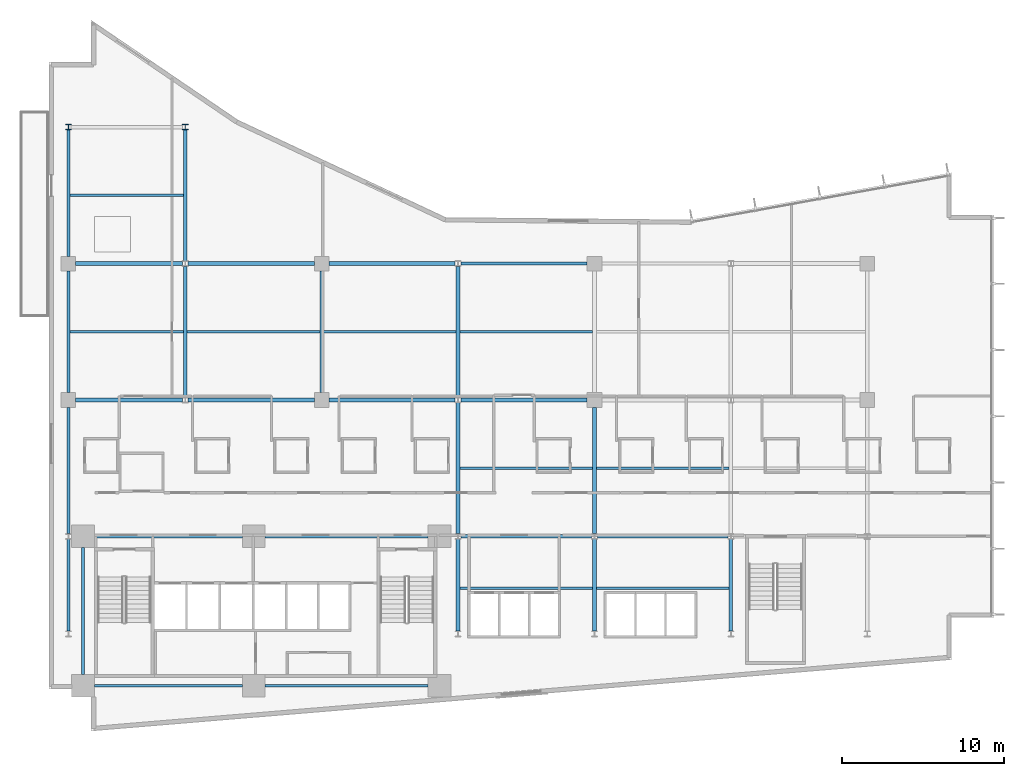
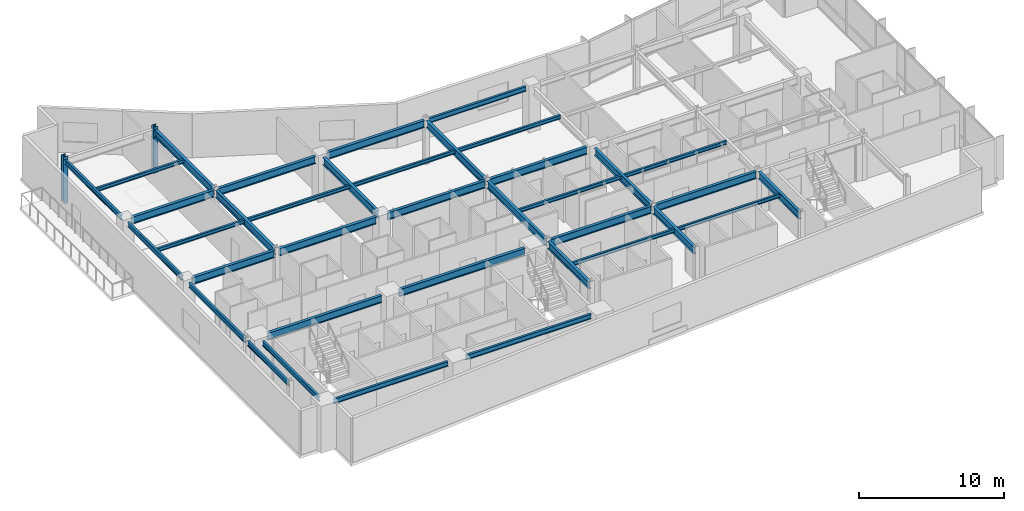
# One storey, part 3 of 21: 37 beams, 2 columns.
"""IFC4 building model written with IfcOpenShell, lengths in metres."""

from ifc_helpers import new_model, si_unit, direction, frame, origin, origin_2d, place, context, subcontext, project, spatial, i_section, extrude, material, material_profile, profile_set, type_object, element, save


model = new_model("IFC4")

# Units and contexts
model_context = context("Model", 3, precision=1e-05, world=origin(), true_north=direction((0.0, 1.0)))
body_context = subcontext(model_context, "Body", "Model", "MODEL_VIEW")
ifc_project = project(units=[si_unit("LENGTHUNIT", "METRE"), si_unit("AREAUNIT", "SQUARE_METRE"), si_unit("VOLUMEUNIT", "CUBIC_METRE"), si_unit("PLANEANGLEUNIT", "RADIAN"), si_unit("MASSUNIT", "GRAM", prefix="KILO")], contexts=[model_context])

# Site, building, storey
site_placement = place(None, origin())
site = spatial("IfcSite", under=ifc_project, at=site_placement, CompositionType="ELEMENT")
building_placement = place(site_placement, origin())
building = spatial("IfcBuilding", under=site, at=building_placement, Name="Varnakote Quay Hospital", CompositionType="ELEMENT")
storey_placement = place(building_placement, frame((0.0, 0.0, 42.25)))
storey = spatial("IfcBuildingStorey", under=building, at=storey_placement, Name="L10", CompositionType="ELEMENT", Elevation=42.25)

# Columns
ifc_material_1 = material(Name="Structural steel AS/NZS 3678 Grade 350 (fy 340 MPa)", Category="steel")
ifc_material_profile_1 = material_profile(ifc_material_1, i_section(OverallWidth=0.35009765625, OverallDepth=0.340087890625, WebThickness=0.01611328125, FlangeThickness=0.028076171875, at=origin_2d()), Name="350WC197")
ifc_profile_set_1 = profile_set([ifc_material_profile_1], Name="Structural steel AS/NZS 3678 Grade 350 (fy 340 MPa)")
column_type = type_object("IfcColumnType", Name="COL-STL-350WC197", PredefinedType="COLUMN", material=ifc_profile_set_1)
for number, where, z_axis, x_axis, name in (
    (1, (1.199951171875, 37.199951171875, 0.0), (0.0, 0.0, 1.0), (1.0, 0.0, 0.0), "L10 Structural Column C-1-37"),
    (2, (8.39990234375, 37.199951171875, 0.0), (0.0, 0.0, 1.0), (1.0, 0.0, 0.0), "L10 Structural Column C-8-37"),
):
    element("IfcColumn", number, at=place(storey_placement, frame(where, z_axis=z_axis, x_axis=x_axis)), inside=storey, type_object=column_type, Name=name, PredefinedType="COLUMN", context=body_context, shape_type="SweptSolid", body=[
        extrude(i_section(OverallWidth=0.35009765625, OverallDepth=0.340087890625, WebThickness=0.01611328125, FlangeThickness=0.028076171875, at=origin_2d()), origin(), (0.0, 0.0, 1.0), 3.949951171875),
    ])

# Beams
ifc_material_2 = material(Name="Structural steel AS/NZS 3679.1 Grade 350 L0 (fy 340 MPa)", Category="steel")
ifc_material_profile_2 = material_profile(ifc_material_2, i_section(OverallWidth=0.22900390625, OverallDepth=0.612060546875, WebThickness=0.011962890625, FlangeThickness=0.01953125, FilletRadius=0.013916015625, at=origin_2d()), Name="610UB125")
ifc_profile_set_2 = profile_set([ifc_material_profile_2], Name="Structural steel AS/NZS 3679.1 Grade 350 L0 (fy 340 MPa)")
beam_type_1 = type_object("IfcBeamType", Name="BM-STL-610UB125", PredefinedType="BEAM", material=ifc_profile_set_2)
beam_1_placement = place(storey_placement, frame((2.800048828125, 12.0, 3.404052734375), z_axis=(1.0, 0.0, 0.0), x_axis=(0.0, 1.0, 0.0)))
element("IfcBeam", 3, at=beam_1_placement, inside=storey, type_object=beam_type_1, Name="L10 Primary Floor Beam", PredefinedType="BEAM", context=body_context, shape_type="SweptSolid", body=[
    extrude(i_section(OverallWidth=0.22900390625, OverallDepth=0.612060546875, WebThickness=0.011962890625, FlangeThickness=0.01953125, FilletRadius=0.013916015625, at=origin_2d()), origin(), (0.0, 0.0, 1.0), 9.119873046875),
])
beam_2_placement = place(storey_placement, frame((13.320068359375, 12.0, 3.404052734375), z_axis=(1.0, 0.0, 0.0), x_axis=(0.0, 1.0, 0.0)))
element("IfcBeam", 4, at=beam_2_placement, inside=storey, type_object=beam_type_1, Name="L10 Primary Floor Beam", PredefinedType="BEAM", context=body_context, shape_type="SweptSolid", body=[
    extrude(i_section(OverallWidth=0.22900390625, OverallDepth=0.612060546875, WebThickness=0.011962890625, FlangeThickness=0.01953125, FilletRadius=0.013916015625, at=origin_2d()), origin(), (0.0, 0.0, 1.0), 10.030029296875),
])
for number, where, z_axis, x_axis, name in (
    (5, (25.375, 12.0, 3.404052734375), (1.0, 0.0, 0.0), (0.0, 1.0, 0.0), "L10 Primary Floor Beam"),
    (6, (33.77490234375, 12.0, 3.404052734375), (1.0, 0.0, 0.0), (0.0, 1.0, 0.0), "L10 Primary Floor Beam"),
):
    element("IfcBeam", number, at=place(storey_placement, frame(where, z_axis=z_axis, x_axis=x_axis)), inside=storey, type_object=beam_type_1, Name=name, PredefinedType="BEAM", context=body_context, shape_type="SweptSolid", body=[
        extrude(i_section(OverallWidth=0.22900390625, OverallDepth=0.612060546875, WebThickness=0.011962890625, FlangeThickness=0.01953125, FilletRadius=0.013916015625, at=origin_2d()), origin(), (0.0, 0.0, 1.0), 8.050048828125),
    ])
beam_3_placement = place(storey_placement, frame((1.64990234375, 20.39990234375, 3.404052734375), z_axis=(1.0, 0.0, 0.0), x_axis=(0.0, 1.0, 0.0)))
element("IfcBeam", 7, at=beam_3_placement, inside=storey, type_object=beam_type_1, Name="L10 Primary Floor Beam", PredefinedType="BEAM", context=body_context, shape_type="SweptSolid", body=[
    extrude(i_section(OverallWidth=0.22900390625, OverallDepth=0.612060546875, WebThickness=0.011962890625, FlangeThickness=0.01953125, FilletRadius=0.013916015625, at=origin_2d()), origin(), (0.0, 0.0, 1.0), 6.5751953125),
])
beam_4_placement = place(storey_placement, frame((8.574951171875, 20.39990234375, 3.404052734375), z_axis=(1.0, 0.0, 0.0), x_axis=(0.0, 1.0, 0.0)))
element("IfcBeam", 8, at=beam_4_placement, inside=storey, type_object=beam_type_1, Name="L10 Primary Floor Beam", PredefinedType="BEAM", context=body_context, shape_type="SweptSolid", body=[
    extrude(i_section(OverallWidth=0.22900390625, OverallDepth=0.612060546875, WebThickness=0.011962890625, FlangeThickness=0.01953125, FilletRadius=0.013916015625, at=origin_2d()), origin(), (0.0, 0.0, 1.0), 7.775146484375),
])
for number, where, z_axis, x_axis, name in (
    (9, (17.25, 20.39990234375, 3.404052734375), (1.0, 0.0, 0.0), (0.0, 1.0, 0.0), "L10 Primary Floor Beam"),
    (10, (25.375, 20.39990234375, 3.404052734375), (1.0, 0.0, 0.0), (0.0, 1.0, 0.0), "L10 Primary Floor Beam"),
):
    element("IfcBeam", number, at=place(storey_placement, frame(where, z_axis=z_axis, x_axis=x_axis)), inside=storey, type_object=beam_type_1, Name=name, PredefinedType="BEAM", context=body_context, shape_type="SweptSolid", body=[
        extrude(i_section(OverallWidth=0.22900390625, OverallDepth=0.612060546875, WebThickness=0.011962890625, FlangeThickness=0.01953125, FilletRadius=0.013916015625, at=origin_2d()), origin(), (0.0, 0.0, 1.0), 7.77490234375),
    ])
beam_5_placement = place(storey_placement, frame((1.64990234375, 28.800048828125, 3.404052734375), z_axis=(1.0, 0.0, 0.0), x_axis=(0.0, 1.0, 0.0)))
element("IfcBeam", 11, at=beam_5_placement, inside=storey, type_object=beam_type_1, Name="L10 Primary Floor Beam", PredefinedType="BEAM", context=body_context, shape_type="SweptSolid", body=[
    extrude(i_section(OverallWidth=0.22900390625, OverallDepth=0.612060546875, WebThickness=0.011962890625, FlangeThickness=0.01953125, FilletRadius=0.013916015625, at=origin_2d()), origin(), (0.0, 0.0, 1.0), 6.5751953125),
])
beam_6_placement = place(storey_placement, frame((8.574951171875, 28.800048828125, 3.404052734375), z_axis=(1.0, 0.0, 0.0), x_axis=(0.0, 1.0, 0.0)))
element("IfcBeam", 12, at=beam_6_placement, inside=storey, type_object=beam_type_1, Name="L10 Primary Floor Beam", PredefinedType="BEAM", context=body_context, shape_type="SweptSolid", body=[
    extrude(i_section(OverallWidth=0.22900390625, OverallDepth=0.612060546875, WebThickness=0.011962890625, FlangeThickness=0.01953125, FilletRadius=0.013916015625, at=origin_2d()), origin(), (0.0, 0.0, 1.0), 7.775146484375),
])
beam_7_placement = place(storey_placement, frame((17.25, 28.800048828125, 3.404052734375), z_axis=(1.0, 0.0, 0.0), x_axis=(0.0, 1.0, 0.0)))
element("IfcBeam", 13, at=beam_7_placement, inside=storey, type_object=beam_type_1, Name="L10 Primary Floor Beam", PredefinedType="BEAM", context=body_context, shape_type="SweptSolid", body=[
    extrude(i_section(OverallWidth=0.22900390625, OverallDepth=0.612060546875, WebThickness=0.011962890625, FlangeThickness=0.01953125, FilletRadius=0.013916015625, at=origin_2d()), origin(), (0.0, 0.0, 1.0), 7.77490234375),
])
beam_8_placement = place(storey_placement, frame((8.39990234375, 20.570068359375, 3.404052734375), z_axis=(0.0, 1.0, 0.0), x_axis=(-1.0, 0.0, 0.0)))
element("IfcBeam", 14, at=beam_8_placement, inside=storey, type_object=beam_type_1, Name="L10 Primary Tie Beam", PredefinedType="BEAM", context=body_context, shape_type="SweptSolid", body=[
    extrude(i_section(OverallWidth=0.22900390625, OverallDepth=0.612060546875, WebThickness=0.011962890625, FlangeThickness=0.01953125, FilletRadius=0.013916015625, at=origin_2d()), origin(), (0.0, 0.0, 1.0), 8.059814453125),
])
beam_9_placement = place(storey_placement, frame((8.39990234375, 28.969970703125, 3.404052734375), z_axis=(0.0, 1.0, 0.0), x_axis=(-1.0, 0.0, 0.0)))
element("IfcBeam", 15, at=beam_9_placement, inside=storey, type_object=beam_type_1, Name="L10 Primary Tie Beam", PredefinedType="BEAM", context=body_context, shape_type="SweptSolid", body=[
    extrude(i_section(OverallWidth=0.22900390625, OverallDepth=0.612060546875, WebThickness=0.011962890625, FlangeThickness=0.01953125, FilletRadius=0.013916015625, at=origin_2d()), origin(), (0.0, 0.0, 1.0), 8.06005859375),
])
beam_10_placement = place(storey_placement, frame((16.800048828125, 20.85009765625, 3.404052734375), z_axis=(0.0, 1.0, 0.0), x_axis=(-1.0, 0.0, 0.0)))
element("IfcBeam", 16, at=beam_10_placement, inside=storey, type_object=beam_type_1, Name="L10 Primary Tie Beam", PredefinedType="BEAM", context=body_context, shape_type="SweptSolid", body=[
    extrude(i_section(OverallWidth=0.22900390625, OverallDepth=0.612060546875, WebThickness=0.011962890625, FlangeThickness=0.01953125, FilletRadius=0.013916015625, at=origin_2d()), origin(), (0.0, 0.0, 1.0), 7.5),
])
beam_11_placement = place(storey_placement, frame((25.199951171875, 6.169921875, 3.404052734375), z_axis=(0.0, 1.0, 0.0), x_axis=(-1.0, 0.0, 0.0)))
element("IfcBeam", 17, at=beam_11_placement, inside=storey, type_object=beam_type_1, Name="L10 Primary Tie Beam", PredefinedType="BEAM", context=body_context, shape_type="SweptSolid", body=[
    extrude(i_section(OverallWidth=0.22900390625, OverallDepth=0.612060546875, WebThickness=0.011962890625, FlangeThickness=0.01953125, FilletRadius=0.013916015625, at=origin_2d()), origin(), (0.0, 0.0, 1.0), 5.66015625),
])
beam_12_placement = place(storey_placement, frame((25.199951171875, 12.169921875, 3.404052734375), z_axis=(0.0, 1.0, 0.0), x_axis=(-1.0, 0.0, 0.0)))
element("IfcBeam", 18, at=beam_12_placement, inside=storey, type_object=beam_type_1, Name="L10 Primary Tie Beam", PredefinedType="BEAM", context=body_context, shape_type="SweptSolid", body=[
    extrude(i_section(OverallWidth=0.22900390625, OverallDepth=0.612060546875, WebThickness=0.011962890625, FlangeThickness=0.01953125, FilletRadius=0.013916015625, at=origin_2d()), origin(), (0.0, 0.0, 1.0), 8.06005859375),
])
beam_13_placement = place(storey_placement, frame((25.199951171875, 20.570068359375, 3.404052734375), z_axis=(0.0, 1.0, 0.0), x_axis=(-1.0, 0.0, 0.0)))
element("IfcBeam", 19, at=beam_13_placement, inside=storey, type_object=beam_type_1, Name="L10 Primary Tie Beam", PredefinedType="BEAM", context=body_context, shape_type="SweptSolid", body=[
    extrude(i_section(OverallWidth=0.22900390625, OverallDepth=0.612060546875, WebThickness=0.011962890625, FlangeThickness=0.01953125, FilletRadius=0.013916015625, at=origin_2d()), origin(), (0.0, 0.0, 1.0), 8.059814453125),
])
beam_14_placement = place(storey_placement, frame((33.60009765625, 6.169921875, 3.404052734375), z_axis=(0.0, 1.0, 0.0), x_axis=(-1.0, 0.0, 0.0)))
element("IfcBeam", 20, at=beam_14_placement, inside=storey, type_object=beam_type_1, Name="L10 Primary Tie Beam", PredefinedType="BEAM", context=body_context, shape_type="SweptSolid", body=[
    extrude(i_section(OverallWidth=0.22900390625, OverallDepth=0.612060546875, WebThickness=0.011962890625, FlangeThickness=0.01953125, FilletRadius=0.013916015625, at=origin_2d()), origin(), (0.0, 0.0, 1.0), 5.66015625),
])
beam_15_placement = place(storey_placement, frame((33.60009765625, 12.169921875, 3.404052734375), z_axis=(0.0, 1.0, 0.0), x_axis=(-1.0, 0.0, 0.0)))
element("IfcBeam", 21, at=beam_15_placement, inside=storey, type_object=beam_type_1, Name="L10 Primary Tie Beam", PredefinedType="BEAM", context=body_context, shape_type="SweptSolid", body=[
    extrude(i_section(OverallWidth=0.22900390625, OverallDepth=0.612060546875, WebThickness=0.011962890625, FlangeThickness=0.01953125, FilletRadius=0.013916015625, at=origin_2d()), origin(), (0.0, 0.0, 1.0), 7.780029296875),
])
beam_16_placement = place(storey_placement, frame((42.0, 6.169921875, 3.404052734375), z_axis=(0.0, 1.0, 0.0), x_axis=(-1.0, 0.0, 0.0)))
element("IfcBeam", 22, at=beam_16_placement, inside=storey, type_object=beam_type_1, Name="L10 Primary Tie Beam", PredefinedType="BEAM", context=body_context, shape_type="SweptSolid", body=[
    extrude(i_section(OverallWidth=0.22900390625, OverallDepth=0.612060546875, WebThickness=0.011962890625, FlangeThickness=0.01953125, FilletRadius=0.013916015625, at=origin_2d()), origin(), (0.0, 0.0, 1.0), 5.66015625),
])
ifc_material_3 = material(Name="Structural steel AS/NZS 3679.1 Grade 350 L0 (fy 340 MPa)", Category="steel")
ifc_material_profile_3 = material_profile(ifc_material_3, i_section(OverallWidth=0.1650390625, OverallDepth=0.303955078125, WebThickness=0.006103515625, FlangeThickness=0.01025390625, FilletRadius=0.011474609375, at=origin_2d()), Name="310UB40.4")
ifc_profile_set_3 = profile_set([ifc_material_profile_3], Name="Structural steel AS/NZS 3679.1 Grade 350 L0 (fy 340 MPa)")
beam_type_2 = type_object("IfcBeamType", Name="JST-STL-310UB40-4", PredefinedType="JOIST", material=ifc_profile_set_3)
beam_17_placement = place(storey_placement, frame((25.314453125, 8.800048828125, 3.55810546875), z_axis=(1.0, 0.0, 0.0), x_axis=(0.0, 1.0, 0.0)))
element("IfcBeam", 23, at=beam_17_placement, inside=storey, type_object=beam_type_2, Name="L10 Composite Floor Joist", PredefinedType="JOIST", context=body_context, shape_type="SweptSolid", body=[
    extrude(i_section(OverallWidth=0.1650390625, OverallDepth=0.303955078125, WebThickness=0.006103515625, FlangeThickness=0.01025390625, FilletRadius=0.011474609375, at=origin_2d()), origin(), (0.0, 0.0, 1.0), 8.171142578125),
])
beam_18_placement = place(storey_placement, frame((33.714599609375, 8.800048828125, 3.55810546875), z_axis=(1.0, 0.0, 0.0), x_axis=(0.0, 1.0, 0.0)))
element("IfcBeam", 24, at=beam_18_placement, inside=storey, type_object=beam_type_2, Name="L10 Composite Floor Joist", PredefinedType="JOIST", context=body_context, shape_type="SweptSolid", body=[
    extrude(i_section(OverallWidth=0.1650390625, OverallDepth=0.303955078125, WebThickness=0.006103515625, FlangeThickness=0.01025390625, FilletRadius=0.011474609375, at=origin_2d()), origin(), (0.0, 0.0, 1.0), 8.1708984375),
])
beam_19_placement = place(storey_placement, frame((25.314453125, 16.199951171875, 3.55810546875), z_axis=(1.0, 0.0, 0.0), x_axis=(0.0, 1.0, 0.0)))
element("IfcBeam", 25, at=beam_19_placement, inside=storey, type_object=beam_type_2, Name="L10 Composite Floor Joist", PredefinedType="JOIST", context=body_context, shape_type="SweptSolid", body=[
    extrude(i_section(OverallWidth=0.1650390625, OverallDepth=0.303955078125, WebThickness=0.006103515625, FlangeThickness=0.01025390625, FilletRadius=0.011474609375, at=origin_2d()), origin(), (0.0, 0.0, 1.0), 8.171142578125),
])
beam_20_placement = place(storey_placement, frame((33.714599609375, 16.199951171875, 3.55810546875), z_axis=(1.0, 0.0, 0.0), x_axis=(0.0, 1.0, 0.0)))
element("IfcBeam", 26, at=beam_20_placement, inside=storey, type_object=beam_type_2, Name="L10 Composite Floor Joist", PredefinedType="JOIST", context=body_context, shape_type="SweptSolid", body=[
    extrude(i_section(OverallWidth=0.1650390625, OverallDepth=0.303955078125, WebThickness=0.006103515625, FlangeThickness=0.01025390625, FilletRadius=0.011474609375, at=origin_2d()), origin(), (0.0, 0.0, 1.0), 8.1708984375),
])
beam_21_placement = place(storey_placement, frame((1.2890625, 24.60009765625, 3.55810546875), z_axis=(1.0, 0.0, 0.0), x_axis=(0.0, 1.0, 0.0)))
element("IfcBeam", 27, at=beam_21_placement, inside=storey, type_object=beam_type_2, Name="L10 Composite Floor Joist", PredefinedType="JOIST", context=body_context, shape_type="SweptSolid", body=[
    extrude(i_section(OverallWidth=0.1650390625, OverallDepth=0.303955078125, WebThickness=0.006103515625, FlangeThickness=0.01025390625, FilletRadius=0.011474609375, at=origin_2d()), origin(), (0.0, 0.0, 1.0), 6.996337890625),
])
beam_22_placement = place(storey_placement, frame((8.514404296875, 24.60009765625, 3.55810546875), z_axis=(1.0, 0.0, 0.0), x_axis=(0.0, 1.0, 0.0)))
element("IfcBeam", 28, at=beam_22_placement, inside=storey, type_object=beam_type_2, Name="L10 Composite Floor Joist", PredefinedType="JOIST", context=body_context, shape_type="SweptSolid", body=[
    extrude(i_section(OverallWidth=0.1650390625, OverallDepth=0.303955078125, WebThickness=0.006103515625, FlangeThickness=0.01025390625, FilletRadius=0.011474609375, at=origin_2d()), origin(), (0.0, 0.0, 1.0), 8.171142578125),
])
beam_23_placement = place(storey_placement, frame((16.91455078125, 24.60009765625, 3.55810546875), z_axis=(1.0, 0.0, 0.0), x_axis=(0.0, 1.0, 0.0)))
element("IfcBeam", 29, at=beam_23_placement, inside=storey, type_object=beam_type_2, Name="L10 Composite Floor Joist", PredefinedType="JOIST", context=body_context, shape_type="SweptSolid", body=[
    extrude(i_section(OverallWidth=0.1650390625, OverallDepth=0.303955078125, WebThickness=0.006103515625, FlangeThickness=0.01025390625, FilletRadius=0.011474609375, at=origin_2d()), origin(), (0.0, 0.0, 1.0), 8.1708984375),
])
beam_24_placement = place(storey_placement, frame((25.314453125, 24.60009765625, 3.55810546875), z_axis=(1.0, 0.0, 0.0), x_axis=(0.0, 1.0, 0.0)))
element("IfcBeam", 30, at=beam_24_placement, inside=storey, type_object=beam_type_2, Name="L10 Composite Floor Joist", PredefinedType="JOIST", context=body_context, shape_type="SweptSolid", body=[
    extrude(i_section(OverallWidth=0.1650390625, OverallDepth=0.303955078125, WebThickness=0.006103515625, FlangeThickness=0.01025390625, FilletRadius=0.011474609375, at=origin_2d()), origin(), (0.0, 0.0, 1.0), 8.171142578125),
])
beam_25_placement = place(storey_placement, frame((1.2890625, 33.0, 3.55810546875), z_axis=(1.0, 0.0, 0.0), x_axis=(0.0, 1.0, 0.0)))
element("IfcBeam", 31, at=beam_25_placement, inside=storey, type_object=beam_type_2, Name="L10 Composite Floor Joist", PredefinedType="JOIST", context=body_context, shape_type="SweptSolid", body=[
    extrude(i_section(OverallWidth=0.1650390625, OverallDepth=0.303955078125, WebThickness=0.006103515625, FlangeThickness=0.01025390625, FilletRadius=0.011474609375, at=origin_2d()), origin(), (0.0, 0.0, 1.0), 6.996337890625),
])
ifc_material_4 = material(Name="Structural steel AS/NZS 3679.1 Grade 350 L0 (fy 340 MPa)", Category="steel")
ifc_material_profile_4 = material_profile(ifc_material_4, i_section(OverallWidth=0.177978515625, OverallDepth=0.403076171875, WebThickness=0.007568359375, FlangeThickness=0.010986328125, FilletRadius=0.011474609375, at=origin_2d()), Name="410UB53.7")
ifc_profile_set_4 = profile_set([ifc_material_profile_4], Name="Structural steel AS/NZS 3679.1 Grade 350 L0 (fy 340 MPa)")
beam_type_3 = type_object("IfcBeamType", Name="SPN-STL-410UB53-7", PredefinedType="SPANDREL", material=ifc_profile_set_4)
beam_26_placement = place(storey_placement, frame((1.199951171875, 6.169921875, 3.508544921875), z_axis=(0.0, 1.0, 0.0), x_axis=(-1.0, 0.0, 0.0)))
element("IfcBeam", 32, at=beam_26_placement, inside=storey, type_object=beam_type_3, Name="L10 Perimeter Spandrel Beam", PredefinedType="SPANDREL", context=body_context, shape_type="SweptSolid", body=[
    extrude(i_section(OverallWidth=0.177978515625, OverallDepth=0.403076171875, WebThickness=0.007568359375, FlangeThickness=0.010986328125, FilletRadius=0.011474609375, at=origin_2d()), origin(), (0.0, 0.0, 1.0), 5.66015625),
])
beam_27_placement = place(storey_placement, frame((1.199951171875, 12.169921875, 3.508544921875), z_axis=(0.0, 1.0, 0.0), x_axis=(-1.0, 0.0, 0.0)))
element("IfcBeam", 33, at=beam_27_placement, inside=storey, type_object=beam_type_3, Name="L10 Perimeter Spandrel Beam", PredefinedType="SPANDREL", context=body_context, shape_type="SweptSolid", body=[
    extrude(i_section(OverallWidth=0.177978515625, OverallDepth=0.403076171875, WebThickness=0.007568359375, FlangeThickness=0.010986328125, FilletRadius=0.011474609375, at=origin_2d()), origin(), (0.0, 0.0, 1.0), 7.780029296875),
])
beam_28_placement = place(storey_placement, frame((1.199951171875, 20.85009765625, 3.508544921875), z_axis=(0.0, 1.0, 0.0), x_axis=(-1.0, 0.0, 0.0)))
element("IfcBeam", 34, at=beam_28_placement, inside=storey, type_object=beam_type_3, Name="L10 Perimeter Spandrel Beam", PredefinedType="SPANDREL", context=body_context, shape_type="SweptSolid", body=[
    extrude(i_section(OverallWidth=0.177978515625, OverallDepth=0.403076171875, WebThickness=0.007568359375, FlangeThickness=0.010986328125, FilletRadius=0.011474609375, at=origin_2d()), origin(), (0.0, 0.0, 1.0), 7.5),
])
beam_29_placement = place(storey_placement, frame((1.199951171875, 29.25, 3.508544921875), z_axis=(0.0, 1.0, 0.0), x_axis=(-1.0, 0.0, 0.0)))
element("IfcBeam", 35, at=beam_29_placement, inside=storey, type_object=beam_type_3, Name="L10 Perimeter Spandrel Beam", PredefinedType="SPANDREL", context=body_context, shape_type="SweptSolid", body=[
    extrude(i_section(OverallWidth=0.177978515625, OverallDepth=0.403076171875, WebThickness=0.007568359375, FlangeThickness=0.010986328125, FilletRadius=0.011474609375, at=origin_2d()), origin(), (0.0, 0.0, 1.0), 7.780029296875),
])
beam_30_placement = place(storey_placement, frame((2.10009765625, 3.5, 3.508544921875), z_axis=(0.0, 1.0, 0.0), x_axis=(-1.0, 0.0, 0.0)))
element("IfcBeam", 36, at=beam_30_placement, inside=storey, type_object=beam_type_3, Name="L10 Perimeter Spandrel Beam", PredefinedType="SPANDREL", context=body_context, shape_type="SweptSolid", body=[
    extrude(i_section(OverallWidth=0.177978515625, OverallDepth=0.403076171875, WebThickness=0.007568359375, FlangeThickness=0.010986328125, FilletRadius=0.011474609375, at=origin_2d()), origin(), (0.0, 0.0, 1.0), 7.800048828125),
])
ifc_material_5 = material(Name="Structural steel AS/NZS 3679.1 Grade 350 L0 (fy 340 MPa)", Category="steel")
ifc_material_profile_5 = material_profile(ifc_material_5, i_section(OverallWidth=0.177978515625, OverallDepth=0.406005859375, WebThickness=0.0078125, FlangeThickness=0.0126953125, FilletRadius=0.011474609375, at=origin_2d()), Name="410UB59.7")
ifc_profile_set_5 = profile_set([ifc_material_profile_5], Name="Structural steel AS/NZS 3679.1 Grade 350 L0 (fy 340 MPa)")
beam_type_4 = type_object("IfcBeamType", Name="SPN-STL-410UB59-7", PredefinedType="SPANDREL", material=ifc_profile_set_5)
beam_31_placement = place(storey_placement, frame((2.800048828125, 2.800048828125, 3.507080078125), z_axis=(1.0, 0.0, 0.0), x_axis=(0.0, 1.0, 0.0)))
element("IfcBeam", 37, at=beam_31_placement, inside=storey, type_object=beam_type_4, Name="L10 Perimeter Spandrel Beam", PredefinedType="SPANDREL", context=body_context, shape_type="SweptSolid", body=[
    extrude(i_section(OverallWidth=0.177978515625, OverallDepth=0.406005859375, WebThickness=0.0078125, FlangeThickness=0.0126953125, FilletRadius=0.011474609375, at=origin_2d()), origin(), (0.0, 0.0, 1.0), 9.119873046875),
])
beam_32_placement = place(storey_placement, frame((13.320068359375, 2.800048828125, 3.507080078125), z_axis=(1.0, 0.0, 0.0), x_axis=(0.0, 1.0, 0.0)))
element("IfcBeam", 38, at=beam_32_placement, inside=storey, type_object=beam_type_4, Name="L10 Perimeter Spandrel Beam", PredefinedType="SPANDREL", context=body_context, shape_type="SweptSolid", body=[
    extrude(i_section(OverallWidth=0.177978515625, OverallDepth=0.406005859375, WebThickness=0.0078125, FlangeThickness=0.0126953125, FilletRadius=0.011474609375, at=origin_2d()), origin(), (0.0, 0.0, 1.0), 10.030029296875),
])
beam_33_placement = place(storey_placement, frame((25.375, 28.800048828125, 3.507080078125), z_axis=(1.0, 0.0, 0.0), x_axis=(0.0, 1.0, 0.0)))
element("IfcBeam", 39, at=beam_33_placement, inside=storey, type_object=beam_type_4, Name="L10 Perimeter Spandrel Beam", PredefinedType="SPANDREL", context=body_context, shape_type="SweptSolid", body=[
    extrude(i_section(OverallWidth=0.177978515625, OverallDepth=0.406005859375, WebThickness=0.0078125, FlangeThickness=0.0126953125, FilletRadius=0.011474609375, at=origin_2d()), origin(), (0.0, 0.0, 1.0), 7.77490234375),
])

save(model, "model.ifc")
